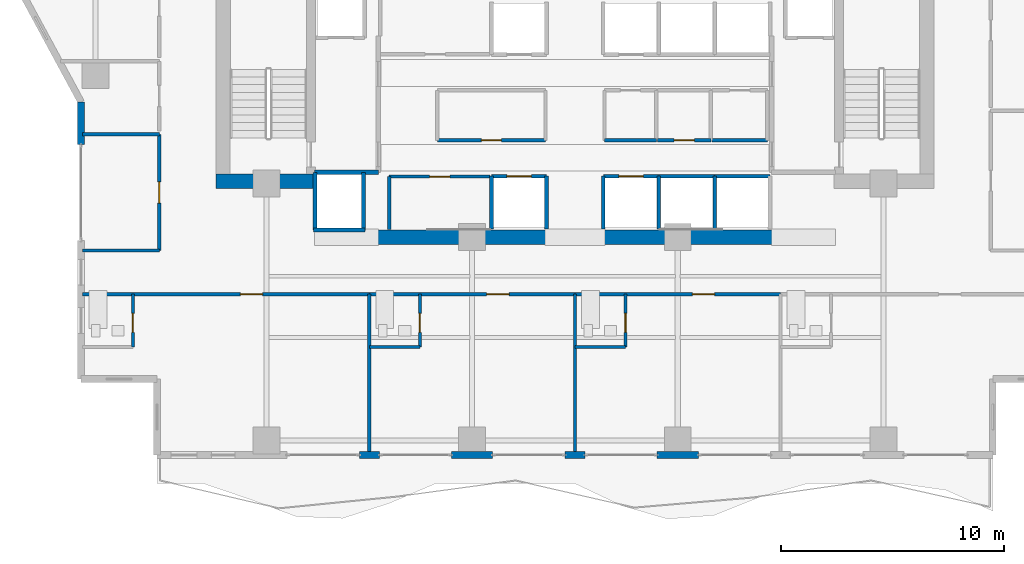
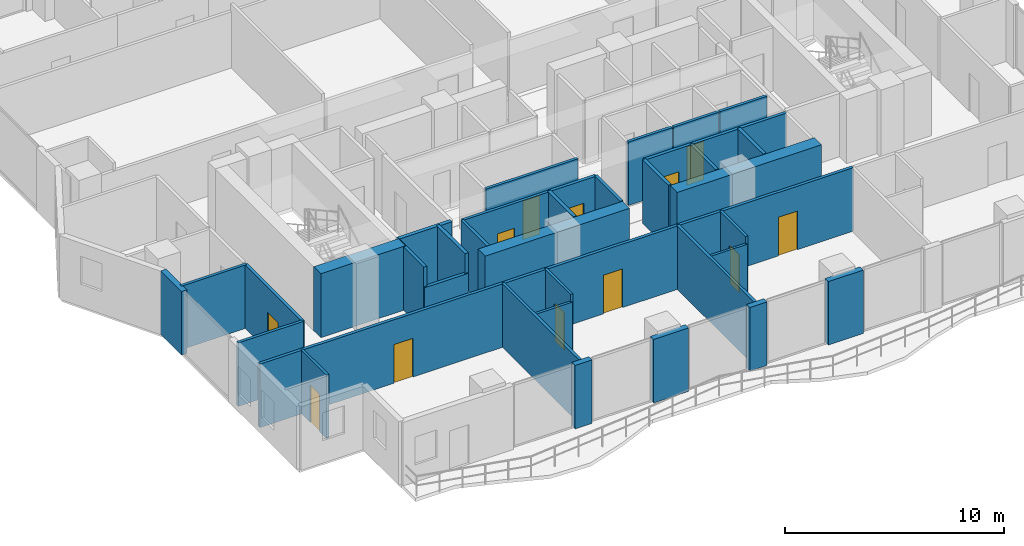
# One storey, part 24 of 33: 40 walls, 12 doors, 12 openings.
"""IFC4 building model written with IfcOpenShell, lengths in metres."""

from ifc_helpers import new_model, si_unit, direction, frame, frame_2d, origin, place, context, subcontext, project, spatial, rectangle, extrude, material, layer, layer_set, type_object, element, fill, save


model = new_model("IFC4")

# Units and contexts
model_context = context("Model", 3, precision=1e-05, world=origin(), true_north=direction((0.0, 1.0)))
body_context = subcontext(model_context, "Body", "Model", "MODEL_VIEW")
ifc_project = project(units=[si_unit("LENGTHUNIT", "METRE"), si_unit("AREAUNIT", "SQUARE_METRE"), si_unit("VOLUMEUNIT", "CUBIC_METRE"), si_unit("PLANEANGLEUNIT", "RADIAN"), si_unit("MASSUNIT", "GRAM", prefix="KILO")], contexts=[model_context])

# Site, building, storey
site_placement = place(None, origin())
site = spatial("IfcSite", under=ifc_project, at=site_placement, CompositionType="ELEMENT")
building_placement = place(site_placement, origin())
building = spatial("IfcBuilding", under=site, at=building_placement, Name="Zuhayl Quay Hotel", CompositionType="ELEMENT")
storey_placement = place(building_placement, frame((0.0, 0.0, 222.39990234375)))
storey = spatial("IfcBuildingStorey", under=building, at=storey_placement, Name="L56", CompositionType="ELEMENT", Elevation=222.39990234375)

# Walls
ifc_material_1 = material(Name="Concrete C50/60", Category="concrete")
ifc_layer_1 = layer(ifc_material_1, 0.64990234375, Name="Concrete C50/60", Category="concrete")
ifc_layer_set_1 = layer_set([ifc_layer_1], Name="Concrete C50/60")
wall_type_1 = type_object("IfcWallType", Name="WL_CORE_650", PredefinedType="SHEAR", material=ifc_layer_set_1)
wall_1_placement = place(storey_placement, frame((-16.06005859375, 4.64501953125, 0.0), z_axis=(0.0, 0.0, 1.0), x_axis=(1.0, 0.0, 0.0)))
element("IfcWall", 1, at=wall_1_placement, inside=storey, type_object=wall_type_1, Name="L56 Core Shear Wall CW_SW", PredefinedType="SHEAR", context=body_context, shape_type="SweptSolid", body=[
    extrude(rectangle(XDim=4.4599609375, YDim=0.64990234375, at=frame_2d((2.22998046875, 0.0))), origin(), (0.0, 0.0, 1.0), 3.56005859375),
])
for number, where, z_axis, x_axis, name in (
    (2, (-8.85009765625, 2.14990234375, 0.0), (0.0, 0.0, 1.0), (1.0, 0.0, 0.0), "L56 Core Shear Wall CW_SC_W"),
    (3, (1.25, 2.14990234375, 0.0), (0.0, 0.0, 1.0), (1.0, 0.0, 0.0), "L56 Core Shear Wall CW_SC_E"),
):
    element("IfcWall", number, at=place(storey_placement, frame(where, z_axis=z_axis, x_axis=x_axis)), inside=storey, type_object=wall_type_1, Name=name, PredefinedType="SHEAR", context=body_context, shape_type="SweptSolid", body=[
        extrude(rectangle(XDim=7.60009765625, YDim=0.64990234375, at=frame_2d((3.800048828125, 0.0))), origin(), (0.0, 0.0, 1.0), 3.530029296875),
    ])
ifc_material_2 = material(Name="Precast concrete C45/55", Category="concrete")
ifc_layer_2 = layer(ifc_material_2, 0.300048828125, Name="Precast concrete C45/55", Category="concrete")
ifc_layer_set_2 = layer_set([ifc_layer_2], Name="Precast concrete C45/55")
wall_type_2 = type_object("IfcWallType", Name="WL_EXT_300", PredefinedType="STANDARD", material=ifc_layer_set_2)
wall_2_placement = place(storey_placement, frame((-22.10009765625, 6.300048828125, 0.0), z_axis=(0.0, 0.0, 1.0), x_axis=(0.0, 1.0, 0.0)))
element("IfcWall", 4, at=wall_2_placement, inside=storey, type_object=wall_type_2, Name="L56 Exterior Precast Wall ENV_L56_E02_EW2", PredefinedType="STANDARD", context=body_context, shape_type="SweptSolid", body=[
    extrude(rectangle(XDim=1.89990234375, YDim=0.300048828125, at=frame_2d((0.949951171875, 0.0))), origin(), (0.0, 0.0, 1.0), 3.530029296875),
])
wall_3_placement = place(storey_placement, frame((5.52001953125, -7.60009765625, 0.0), z_axis=(0.0, 0.0, 1.0), x_axis=(-1.0, 0.0, 0.0)))
element("IfcWall", 5, at=wall_3_placement, inside=storey, type_object=wall_type_2, Name="L56 Exterior Precast Wall ENV_L56_S_EW4", PredefinedType="STANDARD", context=body_context, shape_type="SweptSolid", body=[
    extrude(rectangle(XDim=1.840087890625, YDim=0.300048828125, at=frame_2d((0.919921875, 0.0))), origin(), (0.0, 0.0, 1.0), 3.530029296875),
])
wall_4_placement = place(storey_placement, frame((0.449951171875, -7.60009765625, 0.0), z_axis=(0.0, 0.0, 1.0), x_axis=(-1.0, 0.0, 0.0)))
element("IfcWall", 6, at=wall_4_placement, inside=storey, type_object=wall_type_2, Name="L56 Exterior Precast Wall ENV_L56_S_EW5", PredefinedType="STANDARD", context=body_context, shape_type="SweptSolid", body=[
    extrude(rectangle(XDim=0.89990234375, YDim=0.300048828125, at=frame_2d((0.449951171875, 0.0))), origin(), (0.0, 0.0, 1.0), 3.530029296875),
])
wall_5_placement = place(storey_placement, frame((-3.679931640625, -7.60009765625, 0.0), z_axis=(0.0, 0.0, 1.0), x_axis=(-1.0, 0.0, 0.0)))
element("IfcWall", 7, at=wall_5_placement, inside=storey, type_object=wall_type_2, Name="L56 Exterior Precast Wall ENV_L56_S_EW6", PredefinedType="STANDARD", context=body_context, shape_type="SweptSolid", body=[
    extrude(rectangle(XDim=1.840087890625, YDim=0.300048828125, at=frame_2d((0.919921875, 0.0))), origin(), (0.0, 0.0, 1.0), 3.530029296875),
])
wall_6_placement = place(storey_placement, frame((-8.75, -7.60009765625, 0.0), z_axis=(0.0, 0.0, 1.0), x_axis=(-1.0, 0.0, 0.0)))
element("IfcWall", 8, at=wall_6_placement, inside=storey, type_object=wall_type_2, Name="L56 Exterior Precast Wall ENV_L56_S_EW7", PredefinedType="STANDARD", context=body_context, shape_type="SweptSolid", body=[
    extrude(rectangle(XDim=0.89990234375, YDim=0.300048828125, at=frame_2d((0.449951171875, 0.0))), origin(), (0.0, 0.0, 1.0), 3.530029296875),
])

# Wall, opening, door
ifc_material_3 = material(Name="Acoustic Gypsum Partition STC-58")
ifc_layer_3 = layer(ifc_material_3, 0.14990234375, Name="Acoustic Gypsum Partition STC-58")
ifc_layer_set_3 = layer_set([ifc_layer_3], Name="Acoustic Gypsum Partition STC-58")
wall_type_3 = type_object("IfcWallType", Name="WL_PART_150", PredefinedType="PARTITIONING", material=ifc_layer_set_3)
wall_7_placement = place(storey_placement, frame((-8.31005859375, 4.860107421875, 0.0), z_axis=(0.0, 0.0, 1.0), x_axis=(1.0, 0.0, 0.0)))
wall_7 = element("IfcWall", 9, at=wall_7_placement, inside=storey, type_object=wall_type_3, Name="L56 Partition IW_L56_FLP_S_N", PredefinedType="PARTITIONING", context=body_context, shape_type="SweptSolid", body=[
    extrude(rectangle(XDim=4.52001953125, YDim=0.14990234375, at=frame_2d((2.260009765625, 0.0))), origin(), (0.0, 0.0, 1.0), 3.530029296875),
])
opening_1_placement = place(wall_7_placement, frame((1.81005859375, 0.0, 0.0)))
opening_1 = element("IfcOpeningElement", 10, at=opening_1_placement, cuts=wall_7, Name="Opening D06", PredefinedType="OPENING", context=body_context, shape_type="SweptSolid", body=[
    extrude(rectangle(XDim=0.89990234375, YDim=2.14990234375, at=frame_2d((0.449951171875, 1.074951171875))), frame((0.0, 0.0849609375, 0.0), z_axis=(0.0, -1.0, 0.0), x_axis=(1.0, 0.0, 0.0)), (0.0, 0.0, 1.0), 0.169921875),
])
ifc_material_4 = material(Name="Steel ASTM A992 Grade 50", Category="steel")
door_type_1 = type_object("IfcDoorType", Name="DR_INT_900", OperationType="NOTDEFINED", PredefinedType="DOOR", material=ifc_material_4)
door_1_placement = place(opening_1_placement, origin())
door_1 = element("IfcDoor", 11, at=door_1_placement, inside=storey, type_object=door_type_1, Name="L56 Tea Pantry West Door", OperationType="SINGLE_SWING_RIGHT", OverallHeight=2.14990234375, OverallWidth=0.89990234375, PredefinedType="DOOR", context=body_context, shape_type="SweptSolid", body=[
    extrude(rectangle(XDim=0.89990234375, YDim=2.14990234375, at=frame_2d((0.449951171875, 1.074951171875))), frame((0.0, 0.02490234375, 0.0), z_axis=(0.0, -1.0, 0.0), x_axis=(1.0, 0.0, 0.0)), (0.0, 0.0, 1.0), 0.050048828125),
])
fill(opening_1, door_1)

wall_8_placement = place(storey_placement, frame((-6.159912109375, 6.47998046875, 0.0), z_axis=(0.0, 0.0, 1.0), x_axis=(1.0, 0.0, 0.0)))
wall_8 = element("IfcWall", 12, at=wall_8_placement, inside=storey, type_object=wall_type_3, Name="L56 Partition IW_L56_CORE_SV_S", PredefinedType="PARTITIONING", context=body_context, shape_type="SweptSolid", body=[
    extrude(rectangle(XDim=4.83984375, YDim=0.14990234375, at=frame_2d((2.419921875, 0.0))), origin(), (0.0, 0.0, 1.0), 3.530029296875),
])
opening_2_placement = place(wall_8_placement, frame((1.969970703125, 0.0, 0.0)))
opening_2 = element("IfcOpeningElement", 13, at=opening_2_placement, cuts=wall_8, Name="Opening D06", PredefinedType="OPENING", context=body_context, shape_type="SweptSolid", body=[
    extrude(rectangle(XDim=0.89990234375, YDim=2.14990234375, at=frame_2d((0.449951171875, 1.074951171875))), frame((0.0, 0.0849609375, 0.0), z_axis=(0.0, -1.0, 0.0), x_axis=(1.0, 0.0, 0.0)), (0.0, 0.0, 1.0), 0.169921875),
])
door_2_placement = place(opening_2_placement, origin())
door_2 = element("IfcDoor", 14, at=door_2_placement, inside=storey, type_object=door_type_1, Name="L56 Core Ice and Linen Store Door", OperationType="SINGLE_SWING_RIGHT", OverallHeight=2.14990234375, OverallWidth=0.89990234375, PredefinedType="DOOR", context=body_context, shape_type="SweptSolid", body=[
    extrude(rectangle(XDim=0.89990234375, YDim=2.14990234375, at=frame_2d((0.449951171875, 1.074951171875))), frame((0.0, 0.02490234375, 0.0), z_axis=(0.0, -1.0, 0.0), x_axis=(1.0, 0.0, 0.0)), (0.0, 0.0, 1.0), 0.050048828125),
])
fill(opening_2, door_2)

wall_9_placement = place(storey_placement, frame((3.699951171875, 6.47998046875, 0.0), z_axis=(0.0, 0.0, 1.0), x_axis=(1.0, 0.0, 0.0)))
wall_9 = element("IfcWall", 15, at=wall_9_placement, inside=storey, type_object=wall_type_3, Name="L56 Partition IW_L56_CORE_E2_S", PredefinedType="PARTITIONING", context=body_context, shape_type="SweptSolid", body=[
    extrude(rectangle(XDim=2.380126953125, YDim=0.14990234375, at=frame_2d((1.18994140625, 0.0))), origin(), (0.0, 0.0, 1.0), 3.530029296875),
])
opening_3_placement = place(wall_9_placement, frame((0.739990234375, 0.0, 0.0)))
opening_3 = element("IfcOpeningElement", 16, at=opening_3_placement, cuts=wall_9, Name="Opening D06", PredefinedType="OPENING", context=body_context, shape_type="SweptSolid", body=[
    extrude(rectangle(XDim=0.89990234375, YDim=2.14990234375, at=frame_2d((0.449951171875, 1.074951171875))), frame((0.0, 0.0849609375, 0.0), z_axis=(0.0, -1.0, 0.0), x_axis=(1.0, 0.0, 0.0)), (0.0, 0.0, 1.0), 0.169921875),
])
door_3_placement = place(opening_3_placement, origin())
door_3 = element("IfcDoor", 17, at=door_3_placement, inside=storey, type_object=door_type_1, Name="L56 Data Closet Door", OperationType="SINGLE_SWING_RIGHT", OverallHeight=2.14990234375, OverallWidth=0.89990234375, PredefinedType="DOOR", context=body_context, shape_type="SweptSolid", body=[
    extrude(rectangle(XDim=0.89990234375, YDim=2.14990234375, at=frame_2d((0.449951171875, 1.074951171875))), frame((0.0, 0.02490234375, 0.0), z_axis=(0.0, -1.0, 0.0), x_axis=(1.0, 0.0, 0.0)), (0.0, 0.0, 1.0), 0.050048828125),
])
fill(opening_3, door_3)

# Walls
wall_10_placement = place(storey_placement, frame((-8.31005859375, 2.489990234375, 0.0), z_axis=(0.0, 0.0, 1.0), x_axis=(0.0, 1.0, 0.0)))
element("IfcWall", 18, at=wall_10_placement, inside=storey, type_object=wall_type_3, Name="L56 Partition IW_L56_FLP_S_W", PredefinedType="PARTITIONING", context=body_context, shape_type="SweptSolid", body=[
    extrude(rectangle(XDim=2.3701171875, YDim=0.14990234375, at=frame_2d((1.18505859375, 0.0))), origin(), (0.0, 0.0, 1.0), 3.530029296875),
])
wall_11_placement = place(storey_placement, frame((1.320068359375, 6.47998046875, 0.0), z_axis=(0.0, 0.0, 1.0), x_axis=(1.0, 0.0, 0.0)))
element("IfcWall", 19, at=wall_11_placement, inside=storey, type_object=wall_type_3, Name="L56 Partition IW_L56_CORE_E1_S", PredefinedType="PARTITIONING", context=body_context, shape_type="SweptSolid", body=[
    extrude(rectangle(XDim=2.31982421875, YDim=0.14990234375, at=frame_2d((1.159912109375, 0.0))), origin(), (0.0, 0.0, 1.0), 3.530029296875),
])
wall_12_placement = place(storey_placement, frame((6.139892578125, 6.47998046875, 0.0), z_axis=(0.0, 0.0, 1.0), x_axis=(1.0, 0.0, 0.0)))
element("IfcWall", 20, at=wall_12_placement, inside=storey, type_object=wall_type_3, Name="L56 Partition IW_L56_CORE_E3_S", PredefinedType="PARTITIONING", context=body_context, shape_type="SweptSolid", body=[
    extrude(rectangle(XDim=2.47021484375, YDim=0.14990234375, at=frame_2d((1.235107421875, 0.0))), origin(), (0.0, 0.0, 1.0), 3.530029296875),
])
for number, where, z_axis, x_axis, name in (
    (21, (-9.199951171875, -7.52001953125, 0.0), (0.0, 0.0, 1.0), (0.0, 1.0, 0.0), "L56 Partition IW_L56_SU01_E"),
    (22, (0.0, -7.52001953125, 0.0), (0.0, 0.0, 1.0), (0.0, 1.0, 0.0), "L56 Partition IW_L56_SU02_E"),
):
    element("IfcWall", number, at=place(storey_placement, frame(where, z_axis=z_axis, x_axis=x_axis)), inside=storey, type_object=wall_type_3, Name=name, PredefinedType="PARTITIONING", context=body_context, shape_type="SweptSolid", body=[
        extrude(rectangle(XDim=7.1201171875, YDim=0.14990234375, at=frame_2d((3.56005859375, 0.0))), origin(), (0.0, 0.0, 1.0), 3.530029296875),
    ])
for number, where, z_axis, x_axis, name in (
    (23, (-22.0400390625, 1.550048828125, 0.0), (0.0, 0.0, 1.0), (1.0, 0.0, 0.0), "L56 Partition IW_L56_WPROW_1_S"),
    (24, (-22.0400390625, 6.75, 0.0), (0.0, 0.0, 1.0), (1.0, 0.0, 0.0), "L56 Partition IW_L56_WPROW_1_N"),
):
    element("IfcWall", number, at=place(storey_placement, frame(where, z_axis=z_axis, x_axis=x_axis)), inside=storey, type_object=wall_type_3, Name=name, PredefinedType="PARTITIONING", context=body_context, shape_type="SweptSolid", body=[
        extrude(rectangle(XDim=3.43994140625, YDim=0.14990234375, at=frame_2d((1.719970703125, 0.0))), origin(), (0.0, 0.0, 1.0), 3.530029296875),
    ])

# Wall, opening, door
ifc_layer_4 = layer(ifc_material_3, 0.159912109375, Name="Acoustic Gypsum Partition STC-58")
ifc_layer_set_4 = layer_set([ifc_layer_4], Name="Acoustic Gypsum Partition STC-58")
wall_type_4 = type_object("IfcWallType", Name="WL_PART_CORR_160", PredefinedType="PARTITIONING", material=ifc_layer_set_4)
wall_13_placement = place(storey_placement, frame((-22.0400390625, -0.39990234375, 0.0), z_axis=(0.0, 0.0, 1.0), x_axis=(1.0, 0.0, 0.0)))
wall_13 = element("IfcWall", 25, at=wall_13_placement, inside=storey, type_object=wall_type_4, Name="L56 Partition IW_L56_SU01_COR", PredefinedType="PARTITIONING", context=body_context, shape_type="SweptSolid", body=[
    extrude(rectangle(XDim=12.840087890625, YDim=0.159912109375, at=frame_2d((6.419921875, 0.0))), origin(), (0.0, 0.0, 1.0), 3.530029296875),
])
opening_4_placement = place(wall_13_placement, frame((7.070068359375, 0.0, 0.0)))
opening_4 = element("IfcOpeningElement", 26, at=opening_4_placement, cuts=wall_13, Name="Opening D03L", PredefinedType="OPENING", context=body_context, shape_type="SweptSolid", body=[
    extrude(rectangle(XDim=1.0, YDim=2.14990234375, at=frame_2d((0.5, 1.074951171875))), frame((0.0, 0.08984375, 0.0), z_axis=(0.0, -1.0, 0.0), x_axis=(1.0, 0.0, 0.0)), (0.0, 0.0, 1.0), 0.179931640625),
])
ifc_material_5 = material(Name="Solid Walnut Acoustic Fire Door")
door_type_2 = type_object("IfcDoorType", Name="DR_SUITE_1000", OperationType="NOTDEFINED", PredefinedType="DOOR", material=ifc_material_5)
door_4_placement = place(opening_4_placement, origin())
door_4 = element("IfcDoor", 27, at=door_4_placement, inside=storey, type_object=door_type_2, Name="L56 City-View Junior Suite L56-01 Entrance Door", OperationType="SINGLE_SWING_LEFT", OverallHeight=2.14990234375, OverallWidth=1.0, PredefinedType="DOOR", context=body_context, shape_type="SweptSolid", body=[
    extrude(rectangle(XDim=1.0, YDim=2.14990234375, at=frame_2d((0.5, 1.074951171875))), frame((0.0, 0.02490234375, 0.0), z_axis=(0.0, -1.0, 0.0), x_axis=(1.0, 0.0, 0.0)), (0.0, 0.0, 1.0), 0.050048828125),
])
fill(opening_4, door_4)

wall_14_placement = place(storey_placement, frame((-9.199951171875, -0.39990234375, 0.0), z_axis=(0.0, 0.0, 1.0), x_axis=(1.0, 0.0, 0.0)))
wall_14 = element("IfcWall", 28, at=wall_14_placement, inside=storey, type_object=wall_type_4, Name="L56 Partition IW_L56_SU02_COR", PredefinedType="PARTITIONING", context=body_context, shape_type="SweptSolid", body=[
    extrude(rectangle(XDim=9.199951171875, YDim=0.159912109375, at=frame_2d((4.60009765625, 0.0))), origin(), (0.0, 0.0, 1.0), 3.530029296875),
])
opening_5_placement = place(wall_14_placement, frame((5.25, 0.0, 0.0)))
opening_5 = element("IfcOpeningElement", 29, at=opening_5_placement, cuts=wall_14, Name="Opening D03L", PredefinedType="OPENING", context=body_context, shape_type="SweptSolid", body=[
    extrude(rectangle(XDim=1.0, YDim=2.14990234375, at=frame_2d((0.5, 1.074951171875))), frame((0.0, 0.08984375, 0.0), z_axis=(0.0, -1.0, 0.0), x_axis=(1.0, 0.0, 0.0)), (0.0, 0.0, 1.0), 0.179931640625),
])
door_5_placement = place(opening_5_placement, origin())
door_5 = element("IfcDoor", 30, at=door_5_placement, inside=storey, type_object=door_type_2, Name="L56 City-View Junior Suite L56-02 Entrance Door", OperationType="SINGLE_SWING_LEFT", OverallHeight=2.14990234375, OverallWidth=1.0, PredefinedType="DOOR", context=body_context, shape_type="SweptSolid", body=[
    extrude(rectangle(XDim=1.0, YDim=2.14990234375, at=frame_2d((0.5, 1.074951171875))), frame((0.0, 0.02490234375, 0.0), z_axis=(0.0, -1.0, 0.0), x_axis=(1.0, 0.0, 0.0)), (0.0, 0.0, 1.0), 0.050048828125),
])
fill(opening_5, door_5)

wall_15_placement = place(storey_placement, frame((0.0, -0.39990234375, 0.0), z_axis=(0.0, 0.0, 1.0), x_axis=(1.0, 0.0, 0.0)))
wall_15 = element("IfcWall", 31, at=wall_15_placement, inside=storey, type_object=wall_type_4, Name="L56 Partition IW_L56_SU03_COR", PredefinedType="PARTITIONING", context=body_context, shape_type="SweptSolid", body=[
    extrude(rectangle(XDim=9.199951171875, YDim=0.159912109375, at=frame_2d((4.60009765625, 0.0))), origin(), (0.0, 0.0, 1.0), 3.530029296875),
])
opening_6_placement = place(wall_15_placement, frame((5.25, 0.0, 0.0)))
opening_6 = element("IfcOpeningElement", 32, at=opening_6_placement, cuts=wall_15, Name="Opening D03L", PredefinedType="OPENING", context=body_context, shape_type="SweptSolid", body=[
    extrude(rectangle(XDim=1.0, YDim=2.14990234375, at=frame_2d((0.5, 1.074951171875))), frame((0.0, 0.08984375, 0.0), z_axis=(0.0, -1.0, 0.0), x_axis=(1.0, 0.0, 0.0)), (0.0, 0.0, 1.0), 0.179931640625),
])
door_6_placement = place(opening_6_placement, origin())
door_6 = element("IfcDoor", 33, at=door_6_placement, inside=storey, type_object=door_type_2, Name="L56 City-View Junior Suite L56-03 Entrance Door", OperationType="SINGLE_SWING_LEFT", OverallHeight=2.14990234375, OverallWidth=1.0, PredefinedType="DOOR", context=body_context, shape_type="SweptSolid", body=[
    extrude(rectangle(XDim=1.0, YDim=2.14990234375, at=frame_2d((0.5, 1.074951171875))), frame((0.0, 0.02490234375, 0.0), z_axis=(0.0, -1.0, 0.0), x_axis=(1.0, 0.0, 0.0)), (0.0, 0.0, 1.0), 0.050048828125),
])
fill(opening_6, door_6)

wall_16_placement = place(storey_placement, frame((-18.60009765625, 1.550048828125, 0.0), z_axis=(0.0, 0.0, 1.0), x_axis=(0.0, 1.0, 0.0)))
wall_16 = element("IfcWall", 34, at=wall_16_placement, inside=storey, type_object=wall_type_4, Name="L56 Partition IW_L56_WPROW_1_E", PredefinedType="PARTITIONING", context=body_context, shape_type="SweptSolid", body=[
    extrude(rectangle(XDim=5.199951171875, YDim=0.159912109375, at=frame_2d((2.60009765625, 0.0))), origin(), (0.0, 0.0, 1.0), 3.530029296875),
])
opening_7_placement = place(wall_16_placement, frame((2.125, 0.0, 0.0)))
opening_7 = element("IfcOpeningElement", 35, at=opening_7_placement, cuts=wall_16, Name="Opening D03", PredefinedType="OPENING", context=body_context, shape_type="SweptSolid", body=[
    extrude(rectangle(XDim=0.949951171875, YDim=2.14990234375, at=frame_2d((0.47509765625, 1.074951171875))), frame((0.0, 0.08984375, 0.0), z_axis=(0.0, -1.0, 0.0), x_axis=(1.0, 0.0, 0.0)), (0.0, 0.0, 1.0), 0.179931640625),
])
door_type_3 = type_object("IfcDoorType", Name="DR_SUITE_950", OperationType="NOTDEFINED", PredefinedType="DOOR", material=ifc_material_5)
door_7_placement = place(opening_7_placement, origin())
door_7 = element("IfcDoor", 36, at=door_7_placement, inside=storey, type_object=door_type_3, Name="L56 West Prow Office L56 Door", OperationType="SINGLE_SWING_RIGHT", OverallHeight=2.14990234375, OverallWidth=0.949951171875, PredefinedType="DOOR", context=body_context, shape_type="SweptSolid", body=[
    extrude(rectangle(XDim=0.949951171875, YDim=2.14990234375, at=frame_2d((0.47509765625, 1.074951171875))), frame((0.0, 0.02490234375, 0.0), z_axis=(0.0, -1.0, 0.0), x_axis=(1.0, 0.0, 0.0)), (0.0, 0.0, 1.0), 0.050048828125),
])
fill(opening_7, door_7)

ifc_material_6 = material(Name="Moisture-Resistant Sanitarychase Gypsum")
ifc_layer_5 = layer(ifc_material_6, 0.135009765625, Name="Moisture-Resistant Sanitarychase Gypsum")
ifc_layer_set_5 = layer_set([ifc_layer_5], Name="Moisture-Resistant Sanitarychase Gypsum")
wall_type_5 = type_object("IfcWallType", Name="WL_PART_PLUMB_150", PredefinedType="PLUMBINGWALL", material=ifc_layer_set_5)
wall_17_placement = place(storey_placement, frame((-19.780029296875, -2.760009765625, 0.0), z_axis=(0.0, 0.0, 1.0), x_axis=(0.0, 1.0, 0.0)))
wall_17 = element("IfcWall", 37, at=wall_17_placement, inside=storey, type_object=wall_type_5, Name="L56 Partition IW_L56_SU01_BE", PredefinedType="PLUMBINGWALL", context=body_context, shape_type="SweptSolid", body=[
    extrude(rectangle(XDim=2.360107421875, YDim=0.135009765625, at=frame_2d((1.18017578125, 0.0))), origin(), (0.0, 0.0, 1.0), 3.530029296875),
])
opening_8_placement = place(wall_17_placement, frame((0.64990234375, 0.0, 0.0)))
opening_8 = element("IfcOpeningElement", 38, at=opening_8_placement, cuts=wall_17, Name="Opening D04", PredefinedType="OPENING", context=body_context, shape_type="SweptSolid", body=[
    extrude(rectangle(XDim=0.85009765625, YDim=2.10009765625, at=frame_2d((0.425048828125, 1.050048828125))), frame((0.0, 0.077392578125, 0.0), z_axis=(0.0, -1.0, 0.0), x_axis=(1.0, 0.0, 0.0)), (0.0, 0.0, 1.0), 0.155029296875),
])
ifc_material_7 = material(Name="Moisture-Resistant Walnut Veneer")
door_type_4 = type_object("IfcDoorType", Name="DR_BATH_850", OperationType="NOTDEFINED", PredefinedType="DOOR", material=ifc_material_7)
door_8_placement = place(opening_8_placement, origin())
door_8 = element("IfcDoor", 39, at=door_8_placement, inside=storey, type_object=door_type_4, Name="L56 City-View Junior Suite L56-01 En-Suite Door", OperationType="SINGLE_SWING_RIGHT", OverallHeight=2.10009765625, OverallWidth=0.85009765625, PredefinedType="DOOR", context=body_context, shape_type="SweptSolid", body=[
    extrude(rectangle(XDim=0.85009765625, YDim=2.10009765625, at=frame_2d((0.425048828125, 1.050048828125))), frame((0.0, 0.02490234375, 0.0), z_axis=(0.0, -1.0, 0.0), x_axis=(1.0, 0.0, 0.0)), (0.0, 0.0, 1.0), 0.050048828125),
])
fill(opening_8, door_8)

wall_18_placement = place(storey_placement, frame((-6.93994140625, -2.760009765625, 0.0), z_axis=(0.0, 0.0, 1.0), x_axis=(0.0, 1.0, 0.0)))
wall_18 = element("IfcWall", 40, at=wall_18_placement, inside=storey, type_object=wall_type_5, Name="L56 Partition IW_L56_SU02_BE", PredefinedType="PLUMBINGWALL", context=body_context, shape_type="SweptSolid", body=[
    extrude(rectangle(XDim=2.360107421875, YDim=0.135009765625, at=frame_2d((1.18017578125, 0.0))), origin(), (0.0, 0.0, 1.0), 3.530029296875),
])
opening_9_placement = place(wall_18_placement, frame((0.64990234375, 0.0, 0.0)))
opening_9 = element("IfcOpeningElement", 41, at=opening_9_placement, cuts=wall_18, Name="Opening D04", PredefinedType="OPENING", context=body_context, shape_type="SweptSolid", body=[
    extrude(rectangle(XDim=0.85009765625, YDim=2.10009765625, at=frame_2d((0.425048828125, 1.050048828125))), frame((0.0, 0.077392578125, 0.0), z_axis=(0.0, -1.0, 0.0), x_axis=(1.0, 0.0, 0.0)), (0.0, 0.0, 1.0), 0.155029296875),
])
door_9_placement = place(opening_9_placement, origin())
door_9 = element("IfcDoor", 42, at=door_9_placement, inside=storey, type_object=door_type_4, Name="L56 City-View Junior Suite L56-02 En-Suite Door", OperationType="SINGLE_SWING_RIGHT", OverallHeight=2.10009765625, OverallWidth=0.85009765625, PredefinedType="DOOR", context=body_context, shape_type="SweptSolid", body=[
    extrude(rectangle(XDim=0.85009765625, YDim=2.10009765625, at=frame_2d((0.425048828125, 1.050048828125))), frame((0.0, 0.02490234375, 0.0), z_axis=(0.0, -1.0, 0.0), x_axis=(1.0, 0.0, 0.0)), (0.0, 0.0, 1.0), 0.050048828125),
])
fill(opening_9, door_9)

wall_19_placement = place(storey_placement, frame((2.260009765625, -2.760009765625, 0.0), z_axis=(0.0, 0.0, 1.0), x_axis=(0.0, 1.0, 0.0)))
wall_19 = element("IfcWall", 43, at=wall_19_placement, inside=storey, type_object=wall_type_5, Name="L56 Partition IW_L56_SU03_BE", PredefinedType="PLUMBINGWALL", context=body_context, shape_type="SweptSolid", body=[
    extrude(rectangle(XDim=2.360107421875, YDim=0.135009765625, at=frame_2d((1.18017578125, 0.0))), origin(), (0.0, 0.0, 1.0), 3.530029296875),
])
opening_10_placement = place(wall_19_placement, frame((0.64990234375, 0.0, 0.0)))
opening_10 = element("IfcOpeningElement", 44, at=opening_10_placement, cuts=wall_19, Name="Opening D04", PredefinedType="OPENING", context=body_context, shape_type="SweptSolid", body=[
    extrude(rectangle(XDim=0.85009765625, YDim=2.10009765625, at=frame_2d((0.425048828125, 1.050048828125))), frame((0.0, 0.077392578125, 0.0), z_axis=(0.0, -1.0, 0.0), x_axis=(1.0, 0.0, 0.0)), (0.0, 0.0, 1.0), 0.155029296875),
])
door_10_placement = place(opening_10_placement, origin())
door_10 = element("IfcDoor", 45, at=door_10_placement, inside=storey, type_object=door_type_4, Name="L56 City-View Junior Suite L56-03 En-Suite Door", OperationType="SINGLE_SWING_RIGHT", OverallHeight=2.10009765625, OverallWidth=0.85009765625, PredefinedType="DOOR", context=body_context, shape_type="SweptSolid", body=[
    extrude(rectangle(XDim=0.85009765625, YDim=2.10009765625, at=frame_2d((0.425048828125, 1.050048828125))), frame((0.0, 0.02490234375, 0.0), z_axis=(0.0, -1.0, 0.0), x_axis=(1.0, 0.0, 0.0)), (0.0, 0.0, 1.0), 0.050048828125),
])
fill(opening_10, door_10)

# Walls
for number, where, z_axis, x_axis, name in (
    (46, (-9.199951171875, -2.760009765625, 0.0), (0.0, 0.0, 1.0), (1.0, 0.0, 0.0), "L56 Partition IW_L56_SU02_BS"),
    (47, (0.0, -2.760009765625, 0.0), (0.0, 0.0, 1.0), (1.0, 0.0, 0.0), "L56 Partition IW_L56_SU03_BS"),
):
    element("IfcWall", number, at=place(storey_placement, frame(where, z_axis=z_axis, x_axis=x_axis)), inside=storey, type_object=wall_type_5, Name=name, PredefinedType="PLUMBINGWALL", context=body_context, shape_type="SweptSolid", body=[
        extrude(rectangle(XDim=2.260009765625, YDim=0.135009765625, at=frame_2d((1.1298828125, 0.0))), origin(), (0.0, 0.0, 1.0), 3.1240234375),
    ])

# Wall, opening, door
ifc_material_8 = material(Name="Gypsum Fireboard Assembly EI-90")
ifc_layer_6 = layer(ifc_material_8, 0.1650390625, Name="Gypsum Fireboard Assembly EI-90")
ifc_layer_set_6 = layer_set([ifc_layer_6], Name="Gypsum Fireboard Assembly EI-90")
wall_type_6 = type_object("IfcWallType", Name="WL_PART_SHAFT_160", PredefinedType="PARTITIONING", material=ifc_layer_set_6)
wall_20_placement = place(storey_placement, frame((-3.72998046875, 4.8798828125, 0.0), z_axis=(0.0, 0.0, 1.0), x_axis=(1.0, 0.0, 0.0)))
wall_20 = element("IfcWall", 48, at=wall_20_placement, inside=storey, type_object=wall_type_6, Name="L56 Partition IW_L56_SH_MP1_F", PredefinedType="PARTITIONING", context=body_context, shape_type="SweptSolid", body=[
    extrude(rectangle(XDim=2.4599609375, YDim=0.1650390625, at=frame_2d((1.22998046875, 0.0))), origin(), (0.0, 0.0, 1.0), 3.530029296875),
])
opening_11_placement = place(wall_20_placement, frame((0.679931640625, 0.0, 0.0)))
opening_11 = element("IfcOpeningElement", 49, at=opening_11_placement, cuts=wall_20, Name="Opening LD1", PredefinedType="OPENING", context=body_context, shape_type="SweptSolid", body=[
    extrude(rectangle(XDim=1.10009765625, YDim=2.25, at=frame_2d((0.550048828125, 1.125))), frame((0.0, 0.092529296875, 0.0), z_axis=(0.0, -1.0, 0.0), x_axis=(1.0, 0.0, 0.0)), (0.0, 0.0, 1.0), 0.18505859375),
])
ifc_material_9 = material(Name="Brushed Stainless Steel", Category="steel")
door_type_5 = type_object("IfcDoorType", Name="DR_LIFT_PASS_1100", OperationType="SLIDING_TO_LEFT", PredefinedType="DOOR", material=ifc_material_9)
door_11_placement = place(opening_11_placement, origin())
door_11 = element("IfcDoor", 50, at=door_11_placement, inside=storey, type_object=door_type_5, Name="L56 Lift MP1 Sliding Landing Door", OperationType="SLIDING_TO_LEFT", OverallHeight=2.25, OverallWidth=1.10009765625, PredefinedType="DOOR", context=body_context, shape_type="SweptSolid", body=[
    extrude(rectangle(XDim=1.10009765625, YDim=2.25, at=frame_2d((0.550048828125, 1.125))), frame((0.0, 0.02490234375, 0.0), z_axis=(0.0, -1.0, 0.0), x_axis=(1.0, 0.0, 0.0)), (0.0, 0.0, 1.0), 0.050048828125),
])
fill(opening_11, door_11)

wall_21_placement = place(storey_placement, frame((1.27001953125, 4.8798828125, 0.0), z_axis=(0.0, 0.0, 1.0), x_axis=(1.0, 0.0, 0.0)))
wall_21 = element("IfcWall", 51, at=wall_21_placement, inside=storey, type_object=wall_type_6, Name="L56 Partition IW_L56_SH_MP2_F", PredefinedType="PARTITIONING", context=body_context, shape_type="SweptSolid", body=[
    extrude(rectangle(XDim=2.47998046875, YDim=0.1650390625, at=frame_2d((1.239990234375, 0.0))), origin(), (0.0, 0.0, 1.0), 3.530029296875),
])
opening_12_placement = place(wall_21_placement, frame((0.68994140625, 0.0, 0.0)))
opening_12 = element("IfcOpeningElement", 52, at=opening_12_placement, cuts=wall_21, Name="Opening LD1", PredefinedType="OPENING", context=body_context, shape_type="SweptSolid", body=[
    extrude(rectangle(XDim=1.10009765625, YDim=2.25, at=frame_2d((0.550048828125, 1.125))), frame((0.0, 0.092529296875, 0.0), z_axis=(0.0, -1.0, 0.0), x_axis=(1.0, 0.0, 0.0)), (0.0, 0.0, 1.0), 0.18505859375),
])
door_12_placement = place(opening_12_placement, origin())
door_12 = element("IfcDoor", 53, at=door_12_placement, inside=storey, type_object=door_type_5, Name="L56 Lift MP2 Sliding Landing Door", OperationType="SLIDING_TO_LEFT", OverallHeight=2.25, OverallWidth=1.10009765625, PredefinedType="DOOR", context=body_context, shape_type="SweptSolid", body=[
    extrude(rectangle(XDim=1.10009765625, YDim=2.25, at=frame_2d((0.550048828125, 1.125))), frame((0.0, 0.02490234375, 0.0), z_axis=(0.0, -1.0, 0.0), x_axis=(1.0, 0.0, 0.0)), (0.0, 0.0, 1.0), 0.050048828125),
])
fill(opening_12, door_12)

# Walls
for number, where, z_axis, x_axis, name in (
    (54, (-3.72998046875, 2.52001953125, 0.0), (0.0, 0.0, 1.0), (0.0, 1.0, 0.0), "L56 Partition IW_L56_SH_MP1_W"),
    (55, (-1.27001953125, 2.52001953125, 0.0), (0.0, 0.0, 1.0), (0.0, 1.0, 0.0), "L56 Partition IW_L56_SH_MP1_E"),
    (56, (1.27001953125, 2.52001953125, 0.0), (0.0, 0.0, 1.0), (0.0, 1.0, 0.0), "L56 Partition IW_L56_SH_MP2_W"),
    (57, (3.75, 2.52001953125, 0.0), (0.0, 0.0, 1.0), (0.0, 1.0, 0.0), "L56 Partition IW_L56_SH_MP2_E"),
):
    element("IfcWall", number, at=place(storey_placement, frame(where, z_axis=z_axis, x_axis=x_axis)), inside=storey, type_object=wall_type_6, Name=name, PredefinedType="PARTITIONING", context=body_context, shape_type="SweptSolid", body=[
        extrude(rectangle(XDim=2.35986328125, YDim=0.1650390625, at=frame_2d((1.179931640625, 0.0))), origin(), (0.0, 0.0, 1.0), 3.530029296875),
    ])
wall_22_placement = place(storey_placement, frame((3.75, 4.8798828125, 0.0), z_axis=(0.0, 0.0, 1.0), x_axis=(1.0, 0.0, 0.0)))
element("IfcWall", 58, at=wall_22_placement, inside=storey, type_object=wall_type_6, Name="L56 Partition IW_L56_SH_HP1_F", PredefinedType="PARTITIONING", context=body_context, shape_type="SweptSolid", body=[
    extrude(rectangle(XDim=2.5, YDim=0.1650390625, at=frame_2d((1.25, 0.0))), origin(), (0.0, 0.0, 1.0), 3.530029296875),
])
wall_23_placement = place(storey_placement, frame((6.25, 2.52001953125, 0.0), z_axis=(0.0, 0.0, 1.0), x_axis=(0.0, 1.0, 0.0)))
element("IfcWall", 59, at=wall_23_placement, inside=storey, type_object=wall_type_6, Name="L56 Partition IW_L56_SH_HP1_E", PredefinedType="PARTITIONING", context=body_context, shape_type="SweptSolid", body=[
    extrude(rectangle(XDim=2.35986328125, YDim=0.1650390625, at=frame_2d((1.179931640625, 0.0))), origin(), (0.0, 0.0, 1.0), 3.530029296875),
])
wall_24_placement = place(storey_placement, frame((6.25, 4.8798828125, 0.0), z_axis=(0.0, 0.0, 1.0), x_axis=(1.0, 0.0, 0.0)))
element("IfcWall", 60, at=wall_24_placement, inside=storey, type_object=wall_type_6, Name="L56 Partition IW_L56_SH_HP2_F", PredefinedType="PARTITIONING", context=body_context, shape_type="SweptSolid", body=[
    extrude(rectangle(XDim=2.47998046875, YDim=0.1650390625, at=frame_2d((1.239990234375, 0.0))), origin(), (0.0, 0.0, 1.0), 3.530029296875),
])
wall_25_placement = place(storey_placement, frame((-11.6298828125, 2.469970703125, 0.0), z_axis=(0.0, 0.0, 1.0), x_axis=(0.0, 1.0, 0.0)))
element("IfcWall", 61, at=wall_25_placement, inside=storey, type_object=wall_type_6, Name="L56 Partition IW_L56_RISER_W", PredefinedType="PARTITIONING", context=body_context, shape_type="SweptSolid", body=[
    extrude(rectangle(XDim=2.580078125, YDim=0.1650390625, at=frame_2d((1.2900390625, 0.0))), origin(), (0.0, 0.0, 1.0), 3.530029296875),
])
wall_26_placement = place(storey_placement, frame((-11.7099609375, 2.469970703125, 0.0), z_axis=(0.0, 0.0, 1.0), x_axis=(1.0, 0.0, 0.0)))
element("IfcWall", 62, at=wall_26_placement, inside=storey, type_object=wall_type_6, Name="L56 Partition IW_L56_RISER_S", PredefinedType="PARTITIONING", context=body_context, shape_type="SweptSolid", body=[
    extrude(rectangle(XDim=2.31005859375, YDim=0.1650390625, at=frame_2d((1.155029296875, 0.0))), origin(), (0.0, 0.0, 1.0), 2.43017578125),
])
ifc_layer_7 = layer(ifc_material_8, 0.179931640625, Name="Gypsum Fireboard Assembly EI-90")
ifc_layer_set_7 = layer_set([ifc_layer_7], Name="Gypsum Fireboard Assembly EI-90")
wall_type_7 = type_object("IfcWallType", Name="WL_PART_SHAFT_180", PredefinedType="PARTITIONING", material=ifc_layer_set_7)
wall_27_placement = place(storey_placement, frame((-9.469970703125, 2.449951171875, 0.0), z_axis=(0.0, 0.0, 1.0), x_axis=(0.0, 1.0, 0.0)))
element("IfcWall", 63, at=wall_27_placement, inside=storey, type_object=wall_type_7, Name="L56 Partition IW_L56_RISER_E", PredefinedType="PARTITIONING", context=body_context, shape_type="SweptSolid", body=[
    extrude(rectangle(XDim=2.60009765625, YDim=0.179931640625, at=frame_2d((1.300048828125, 0.0))), origin(), (0.0, 0.0, 1.0), 3.530029296875),
])
ifc_material_10 = material(Name="Gypsum Fireboard Assembly EI-120")
ifc_layer_8 = layer(ifc_material_10, 0.199951171875, Name="Gypsum Fireboard Assembly EI-120")
ifc_layer_set_8 = layer_set([ifc_layer_8], Name="Gypsum Fireboard Assembly EI-120")
wall_type_8 = type_object("IfcWallType", Name="WL_PART_SHAFT_200", PredefinedType="PARTITIONING", material=ifc_layer_set_8)
wall_28_placement = place(storey_placement, frame((-11.64990234375, 5.050048828125, 0.0), z_axis=(0.0, 0.0, 1.0), x_axis=(1.0, 0.0, 0.0)))
element("IfcWall", 64, at=wall_28_placement, inside=storey, type_object=wall_type_8, Name="L56 Partition IW_L56_FSAE_W_S", PredefinedType="PARTITIONING", context=body_context, shape_type="SweptSolid", body=[
    extrude(rectangle(XDim=2.849853515625, YDim=0.199951171875, at=frame_2d((1.4248046875, 0.0))), origin(), (0.0, 0.0, 1.0), 3.530029296875),
])

save(model, "model.ifc")
